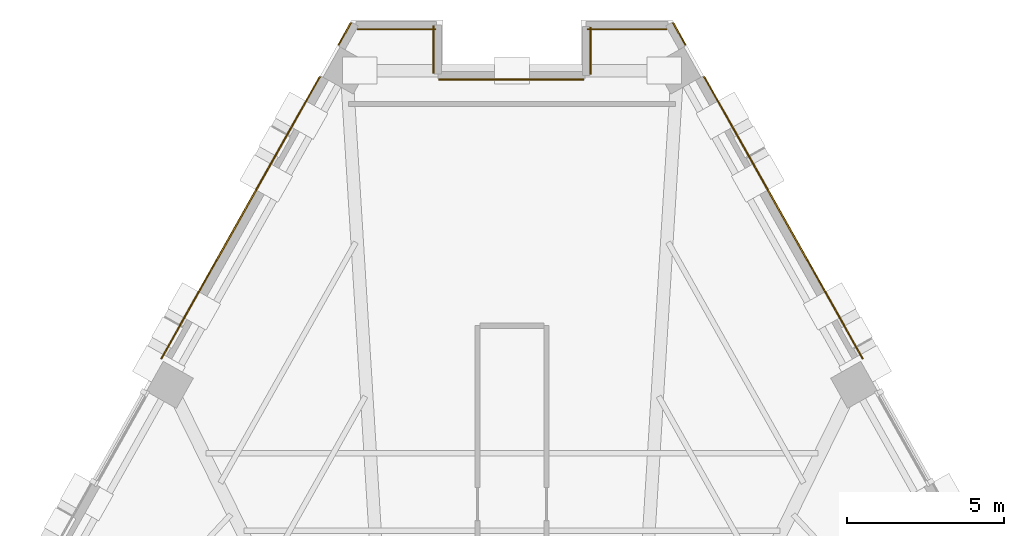
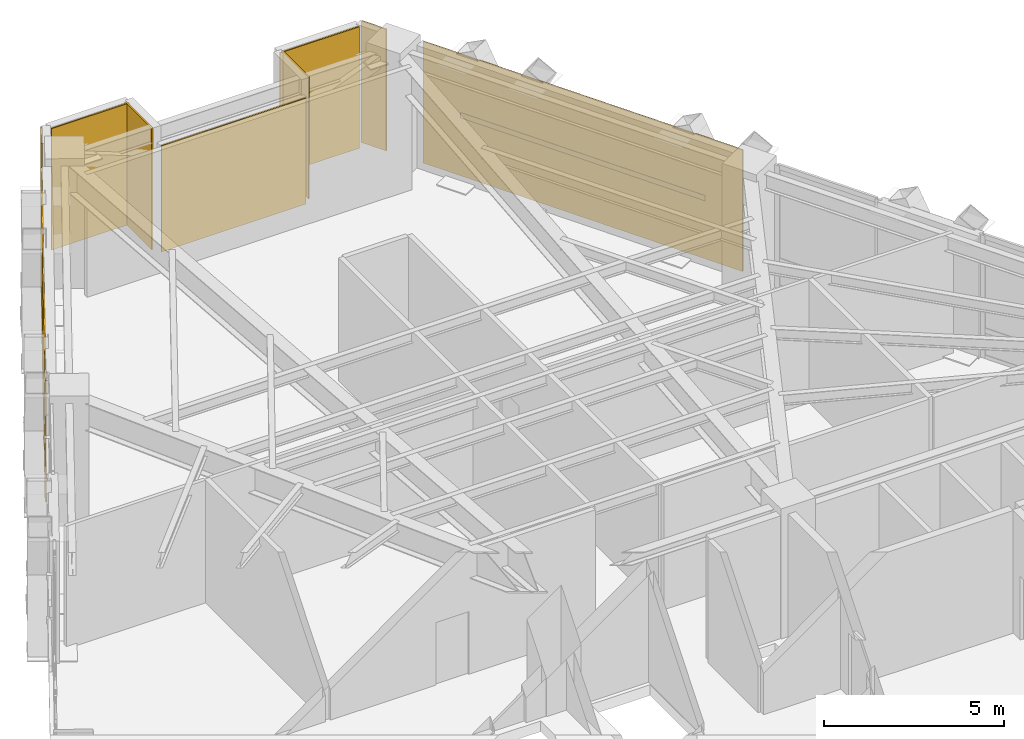
# One storey, part 12 of 12: 9 coverings, 2 shading devices.
"""IFC4 building model written with IfcOpenShell, lengths in metres."""

import ifcopenshell
import ifcopenshell.guid

model = None  # the IFC model being written
_history = None  # IfcOwnerHistory: only IFC2X3 demands one
_inside = {}  # id of a spatial element -> (the spatial element, [elements in it])
_under = {}  # id of a project, library or spatial element -> (it, [spatial elements below it])
_declared = {}  # id of a project -> (the project, [libraries it declares])
_typed = {}  # id of a type object -> (the type object, [elements of that type])
_made_of = {}  # id of a material, layer set ... -> (it, [elements and type objects made of it])


def new_model(schema):
    """Start an empty IFC model of exactly this schema.

    Asked for "IFC4X3", IfcOpenShell would pick the latest addendum, in which some entities
    have other attributes; the version numbers below select the first issue.
    IFC2X3 requires an IfcOwnerHistory on every rooted entity: one is made here for all.
    """
    global model, _history
    if schema == "IFC4X3":
        model = ifcopenshell.file(schema_version=(4, 3, 0, 0))
    else:
        model = ifcopenshell.file(schema=schema)
    _inside.clear()
    _under.clear()
    _declared.clear()
    _typed.clear()
    _made_of.clear()
    _history = None
    if model.schema == "IFC2X3":
        org = make("IfcOrganization", Name="unknown")
        user = make(
            "IfcPersonAndOrganization",
            ThePerson=make("IfcPerson", FamilyName="unknown"),
            TheOrganization=org,
        )
        app = make(
            "IfcApplication",
            ApplicationDeveloper=org,
            Version="unknown",
            ApplicationFullName="unknown",
            ApplicationIdentifier="unknown",
        )
        _history = make(
            "IfcOwnerHistory",
            OwningUser=user,
            OwningApplication=app,
            ChangeAction="ADDED",
            CreationDate=0,
        )
    return model


def make(cls, **values):
    """One entity of the class cls with the attributes given. An attribute that is None is left unset."""
    return model.create_entity(
        cls, **{name: value for name, value in values.items() if value is not None}
    )


def rooted(cls, **values):
    """An entity with a GlobalId (a new one), such as an element, a storey or a relation."""
    return make(cls, GlobalId=ifcopenshell.guid.new(), OwnerHistory=_history, **values)


def si_unit(unit_type, name, prefix=None):
    """IfcSIUnit, for example si_unit("LENGTHUNIT", "METRE", prefix="MILLI")."""
    return make("IfcSIUnit", UnitType=unit_type, Prefix=prefix, Name=name)


def assignment(units):
    """IfcUnitAssignment: the units of a project."""
    return None if units is None else make("IfcUnitAssignment", Units=units)


def point(xyz):
    """IfcCartesianPoint."""
    return None if xyz is None else make("IfcCartesianPoint", Coordinates=xyz)


def direction(xyz):
    """IfcDirection."""
    return None if xyz is None else make("IfcDirection", DirectionRatios=xyz)


def frame(location, z_axis=None, x_axis=None):
    """IfcAxis2Placement3D, a coordinate frame: its origin and axes. An axis left out is left unset."""
    return make(
        "IfcAxis2Placement3D",
        Location=point(location),
        Axis=direction(z_axis),
        RefDirection=direction(x_axis),
    )


def frame_2d(location, x_axis=None):
    """IfcAxis2Placement2D, a coordinate frame in the plane: its origin and x axis."""
    return make(
        "IfcAxis2Placement2D", Location=point(location), RefDirection=direction(x_axis)
    )


def origin():
    """The frame at (0, 0, 0) with its axes left unset."""
    return frame((0.0, 0.0, 0.0))


def origin_2d():
    """The frame at (0, 0) in the plane with its x axis left unset."""
    return frame_2d((0.0, 0.0))


def place(relative_to, where):
    """IfcLocalPlacement: puts the frame where relative to a parent placement (None: the world)."""
    return make(
        "IfcLocalPlacement", PlacementRelTo=relative_to, RelativePlacement=where
    )


def context(
    kind, dimensions, precision=None, world=None, true_north=None, identifier=None
):
    """IfcGeometricRepresentationContext, for example the 3D "Model" context."""
    return make(
        "IfcGeometricRepresentationContext",
        ContextIdentifier=identifier,
        ContextType=kind,
        CoordinateSpaceDimension=dimensions,
        Precision=precision,
        WorldCoordinateSystem=world,
        TrueNorth=true_north,
    )


def subcontext(parent, identifier, kind, view, scale=None):
    """IfcGeometricRepresentationSubContext, for example "Body" below "Model"."""
    return make(
        "IfcGeometricRepresentationSubContext",
        ContextIdentifier=identifier,
        ContextType=kind,
        ParentContext=parent,
        TargetScale=scale,
        TargetView=view,
    )


def project(units=None, contexts=None):
    """IfcProject with its units and contexts."""
    return rooted(
        "IfcProject",
        Name="project",
        RepresentationContexts=contexts,
        UnitsInContext=assignment(units),
    )


def spatial(cls, under=None, at=None, **own):
    """A site, building, storey or space (cls), placed at a placement, below another one or the project."""
    s = rooted(cls, ObjectPlacement=at, **own)
    if under is not None:
        _under.setdefault(under.id(), (under, []))[1].append(s)
    return s


def polyline(points):
    """IfcPolyline through the points."""
    return make("IfcPolyline", Points=[point(p) for p in points])


def profile(cls, at=None, kind="AREA", **sizes):
    """A parametric profile (cls). Its sizes go by their IFC names, for example OverallWidth=200.0."""
    return make(cls, ProfileType=kind, Position=at, **sizes)


def rectangle(**sizes):
    """IfcRectangleProfileDef."""
    return profile("IfcRectangleProfileDef", **sizes)


def outline(outer, holes=None, kind="AREA"):
    """IfcArbitraryClosedProfileDef: a profile drawn as a closed curve; with holes, ...WithVoids."""
    if holes is None:
        return make("IfcArbitraryClosedProfileDef", ProfileType=kind, OuterCurve=outer)
    return make(
        "IfcArbitraryProfileDefWithVoids",
        ProfileType=kind,
        OuterCurve=outer,
        InnerCurves=holes,
    )


def extrude(swept, where, along, depth):
    """IfcExtrudedAreaSolid: the profile swept, set in the frame where, extruded along a direction by depth."""
    return make(
        "IfcExtrudedAreaSolid",
        SweptArea=swept,
        Position=where,
        ExtrudedDirection=direction(along),
        Depth=depth,
    )


def shape(context_of_items, identifier, shape_type, items):
    """IfcShapeRepresentation: the items that make up one representation, for example the "Body"."""
    return make(
        "IfcShapeRepresentation",
        ContextOfItems=context_of_items,
        RepresentationIdentifier=identifier,
        RepresentationType=shape_type,
        Items=items,
    )


def material(Name=None, Category=None):
    """IfcMaterial."""
    return make("IfcMaterial", Name=Name, Category=Category)


def layer(
    of_material, thickness, ventilated=None, Name=None, Category=None, Priority=None
):
    """IfcMaterialLayer: one layer of a wall or slab, of a material (None: an air gap)."""
    return make(
        "IfcMaterialLayer",
        Material=of_material,
        LayerThickness=thickness,
        IsVentilated=ventilated,
        Name=Name,
        Category=Category,
        Priority=Priority,
    )


def layer_set(layers, Name=None):
    """IfcMaterialLayerSet."""
    return make("IfcMaterialLayerSet", MaterialLayers=layers, LayerSetName=Name)


def material_profile(
    of_material, cross_section, Name=None, Category=None, Priority=None
):
    """IfcMaterialProfile: a cross section and its material."""
    return make(
        "IfcMaterialProfile",
        Name=Name,
        Material=of_material,
        Profile=cross_section,
        Priority=Priority,
        Category=Category,
    )


def profile_set(profiles, Name=None, composite=None):
    """IfcMaterialProfileSet."""
    return make(
        "IfcMaterialProfileSet",
        Name=Name,
        MaterialProfiles=profiles,
        CompositeProfile=composite,
    )


def made_of(thing, what):
    """Note that an element or type object is made of a material, layer set ...; save() writes the relation."""
    if what is not None:
        _made_of.setdefault(what.id(), (what, []))[1].append(thing)
    return thing


def type_object(cls, material=None, **own):
    """A type object (cls), such as IfcWallType, which elements share."""
    return made_of(rooted(cls, **own), material)


def element(
    cls,
    number,
    at=None,
    inside=None,
    cuts=None,
    type_object=None,
    material=None,
    context=None,
    identifier="Body",
    shape_type=None,
    held_by="IfcProductDefinitionShape",
    body=None,
    shapes=None,
    **own,
):
    """One element of the class cls, such as IfcWall. Its Tag is "e" and its number.

    at: its placement. inside: the storey or other place that contains it. cuts: it is an
    opening in that element (IfcRelVoidsElement). A single representation is given by context,
    identifier, shape_type and body (its items); several are given by shapes. held_by: the class
    of the entity that holds the representations. save() writes the other relations.
    """
    e = rooted(cls, Tag="e%d" % number, ObjectPlacement=at, **own)
    if body is not None:
        shapes = [shape(context, identifier, shape_type, body)]
    if shapes is not None:
        e.Representation = make(held_by, Representations=shapes)
    if inside is not None:
        _inside.setdefault(inside.id(), (inside, []))[1].append(e)
    if cuts is not None:
        rooted(
            "IfcRelVoidsElement", RelatingBuildingElement=cuts, RelatedOpeningElement=e
        )
    if type_object is not None:
        _typed.setdefault(type_object.id(), (type_object, []))[1].append(e)
    return made_of(e, material)


def aggregate(whole, parts):
    """IfcRelAggregates: a whole, such as a stair, and the parts it consists of."""
    return rooted("IfcRelAggregates", RelatingObject=whole, RelatedObjects=parts)


def save(model, path):
    """Write the relations noted so far, then the file.

    IfcRelAggregates (storeys below a building ...), IfcRelContainedInSpatialStructure (elements
    in a storey), IfcRelDefinesByType, IfcRelAssociatesMaterial and IfcRelDeclares: one each for
    every whole, place, type object, material and project.
    """
    for whole, parts in _under.values():
        aggregate(whole, parts)
    for where, things in _inside.values():
        rooted(
            "IfcRelContainedInSpatialStructure",
            RelatedElements=things,
            RelatingStructure=where,
        )
    for kind, things in _typed.values():
        rooted("IfcRelDefinesByType", RelatedObjects=things, RelatingType=kind)
    for what, things in _made_of.values():
        rooted("IfcRelAssociatesMaterial", RelatedObjects=things, RelatingMaterial=what)
    for by, libraries in _declared.values():
        rooted("IfcRelDeclares", RelatingContext=by, RelatedDefinitions=libraries)
    model.write(path)


model = new_model("IFC4")

# Units and contexts
model_context = context("Model", 3, precision=1e-05, world=origin(), true_north=direction((0.0, 1.0)))
body_context = subcontext(model_context, "Body", "Model", "MODEL_VIEW")
ifc_project = project(units=[si_unit("LENGTHUNIT", "METRE"), si_unit("AREAUNIT", "SQUARE_METRE"), si_unit("VOLUMEUNIT", "CUBIC_METRE"), si_unit("PLANEANGLEUNIT", "RADIAN"), si_unit("MASSUNIT", "GRAM", prefix="KILO")], contexts=[model_context])

# Site, building, storey
site_placement = place(None, origin())
site = spatial("IfcSite", under=ifc_project, at=site_placement, CompositionType="ELEMENT")
building_placement = place(site_placement, origin())
building = spatial("IfcBuilding", under=site, at=building_placement, Name="Quenlor Broadcast Tower", CompositionType="ELEMENT")
storey_placement = place(building_placement, frame((0.0, 0.0, 90.60009765625)))
storey = spatial("IfcBuildingStorey", under=building, at=storey_placement, Name="L24", CompositionType="ELEMENT", Elevation=90.60009765625)

# Coverings
ifc_material_1 = material(Name="Architectural Terracotta Ceramic", Category="masonry")
ifc_layer = layer(ifc_material_1, 0.044921875)
ifc_layer_set = layer_set([ifc_layer], Name="Fluted Terracotta Rainscreen Cladding Panel")
covering_type = type_object("IfcCoveringType", Name="Fluted Terracotta Rainscreen Cladding Panel", PredefinedType="CLADDING", material=ifc_layer_set)
covering_1_placement = place(storey_placement, frame((0.0, 0.0, 0.02001953125)))
element("IfcCovering", 1, at=covering_1_placement, inside=storey, type_object=covering_type, Name="L24 Terracotta Rainscreen Cladding L24-SHD-NES0", PredefinedType="CLADDING", context=body_context, shape_type="SweptSolid", body=[
    extrude(outline(polyline([(5.105224609375, 21.22607421875), (5.5, 20.524169921875), (5.539306640625, 20.546142578125), (5.144287109375, 21.248046875), (5.105224609375, 21.22607421875)])), origin(), (0.0, 0.0, 1.0), 4.10986328125),
])
covering_2_placement = place(storey_placement, frame((0.0, 0.0, 0.02001953125)))
element("IfcCovering", 2, at=covering_2_placement, inside=storey, type_object=covering_type, Name="L24 Terracotta Rainscreen Cladding L24-EW-NEA", PredefinedType="CLADDING", context=body_context, shape_type="SweptSolid", body=[
    extrude(outline(polyline([(6.09130859375, 19.51416015625), (11.14208984375, 10.53466796875), (11.181396484375, 10.556640625), (6.13037109375, 19.5361328125), (6.09130859375, 19.51416015625)])), origin(), (0.0, 0.0, 1.0), 4.10986328125),
])
covering_3_placement = place(storey_placement, frame((0.0, 0.0, 0.02001953125)))
element("IfcCovering", 3, at=covering_3_placement, inside=storey, type_object=covering_type, Name="L24 Terracotta Rainscreen Cladding L24-SHD-NWS1", PredefinedType="CLADDING", context=body_context, shape_type="SweptSolid", body=[
    extrude(outline(polyline([(-5.5, 20.524169921875), (-5.105224609375, 21.22607421875), (-5.144287109375, 21.248046875), (-5.539306640625, 20.546142578125), (-5.5, 20.524169921875)])), origin(), (0.0, 0.0, 1.0), 4.10986328125),
])
covering_4_placement = place(storey_placement, frame((0.0, 0.0, 0.02001953125)))
element("IfcCovering", 4, at=covering_4_placement, inside=storey, type_object=covering_type, Name="L24 Terracotta Rainscreen Cladding L24-EW-NWC", PredefinedType="CLADDING", context=body_context, shape_type="SweptSolid", body=[
    extrude(outline(polyline([(-11.14208984375, 10.53466796875), (-6.09130859375, 19.51416015625), (-6.13037109375, 19.5361328125), (-11.181396484375, 10.556640625), (-11.14208984375, 10.53466796875)])), origin(), (0.0, 0.0, 1.0), 4.10986328125),
])
covering_5_placement = place(storey_placement, frame((0.0, 0.0, 0.02001953125)))
element("IfcCovering", 5, at=covering_5_placement, inside=storey, type_object=covering_type, Name="L24 Terracotta Rainscreen Cladding L24-CNR-06", PredefinedType="CLADDING", context=body_context, shape_type="SweptSolid", body=[
    extrude(outline(polyline([(4.929443359375, 21.055908203125), (2.389892578125, 21.055908203125), (2.389892578125, 21.010986328125), (4.929443359375, 21.010986328125), (4.929443359375, 21.055908203125)])), origin(), (0.0, 0.0, 1.0), 4.10986328125),
])
covering_6_placement = place(storey_placement, frame((0.0, 0.0, 0.02001953125)))
element("IfcCovering", 6, at=covering_6_placement, inside=storey, type_object=covering_type, Name="L24 Terracotta Rainscreen Cladding L24-CNR-07", PredefinedType="CLADDING", context=body_context, shape_type="SweptSolid", body=[
    extrude(outline(polyline([(2.471923828125, 21.097900390625), (2.471923828125, 19.597900390625), (2.51708984375, 19.597900390625), (2.51708984375, 21.097900390625), (2.471923828125, 21.097900390625)])), origin(), (0.0, 0.0, 1.0), 4.10986328125),
])
covering_7_placement = place(storey_placement, frame((0.0, 0.0, 0.02001953125)))
element("IfcCovering", 7, at=covering_7_placement, inside=storey, type_object=covering_type, Name="L24 Terracotta Rainscreen Cladding L24-CNR-08", PredefinedType="CLADDING", context=body_context, shape_type="SweptSolid", body=[
    extrude(outline(polyline([(2.2900390625, 19.4560546875), (-2.330078125, 19.4560546875), (-2.330078125, 19.410888671875), (2.2900390625, 19.410888671875), (2.2900390625, 19.4560546875)])), origin(), (0.0, 0.0, 1.0), 3.581787109375),
])
covering_8_placement = place(storey_placement, frame((0.0, 0.0, 0.02001953125)))
element("IfcCovering", 8, at=covering_8_placement, inside=storey, type_object=covering_type, Name="L24 Terracotta Rainscreen Cladding L24-CNR-09", PredefinedType="CLADDING", context=body_context, shape_type="SweptSolid", body=[
    extrude(outline(polyline([(-2.471923828125, 19.637939453125), (-2.471923828125, 21.137939453125), (-2.51708984375, 21.137939453125), (-2.51708984375, 19.637939453125), (-2.471923828125, 19.637939453125)])), origin(), (0.0, 0.0, 1.0), 4.10986328125),
])
covering_9_placement = place(storey_placement, frame((0.0, 0.0, 0.02001953125)))
element("IfcCovering", 9, at=covering_9_placement, inside=storey, type_object=covering_type, Name="L24 Terracotta Rainscreen Cladding L24-CNR-10", PredefinedType="CLADDING", context=body_context, shape_type="SweptSolid", body=[
    extrude(outline(polyline([(-2.429931640625, 21.055908203125), (-4.929443359375, 21.055908203125), (-4.929443359375, 21.010986328125), (-2.429931640625, 21.010986328125), (-2.429931640625, 21.055908203125)])), origin(), (0.0, 0.0, 1.0), 4.10986328125),
])

# Shading devices
ifc_material_2 = material(Name="Architectural Terracotta Ceramic", Category="masonry")
ifc_material_profile = material_profile(ifc_material_2, rectangle(XDim=0.06005859375, YDim=0.179931640625, at=origin_2d()))
ifc_profile_set = profile_set([ifc_material_profile], Name="Architectural Terracotta Ceramic LVR60x180")
shading_device_type = type_object("IfcShadingDeviceType", Name="Terracotta Acoustic Plant Weather Louvre 180", PredefinedType="JALOUSIE", material=ifc_profile_set)
for number, where, z_axis, x_axis, name in (
    (10, (6.708740234375, 18.46923828125, 2.074951171875), (0.490255352497, -0.871578848612, 0.0), (0.871578848612, 0.490255352497, 0.0), "L24 Plant Weather Louvre L24-LV-NEA"),
    (11, (-10.56982421875, 11.60498046875, 2.074951171875), (0.490255352497, 0.871578848612, 0.0), (-0.871578848612, 0.490255352497, 0.0), "L24 Plant Weather Louvre L24-LV-NWC"),
):
    element("IfcShadingDevice", number, at=place(storey_placement, frame(where, z_axis=z_axis, x_axis=x_axis)), inside=storey, type_object=shading_device_type, Name=name, PredefinedType="JALOUSIE", context=body_context, shape_type="SweptSolid", body=[
        extrude(rectangle(XDim=0.06005859375, YDim=0.179931640625, at=origin_2d()), origin(), (0.0, 0.0, 1.0), 7.875732421875),
    ])

save(model, "model.ifc")
